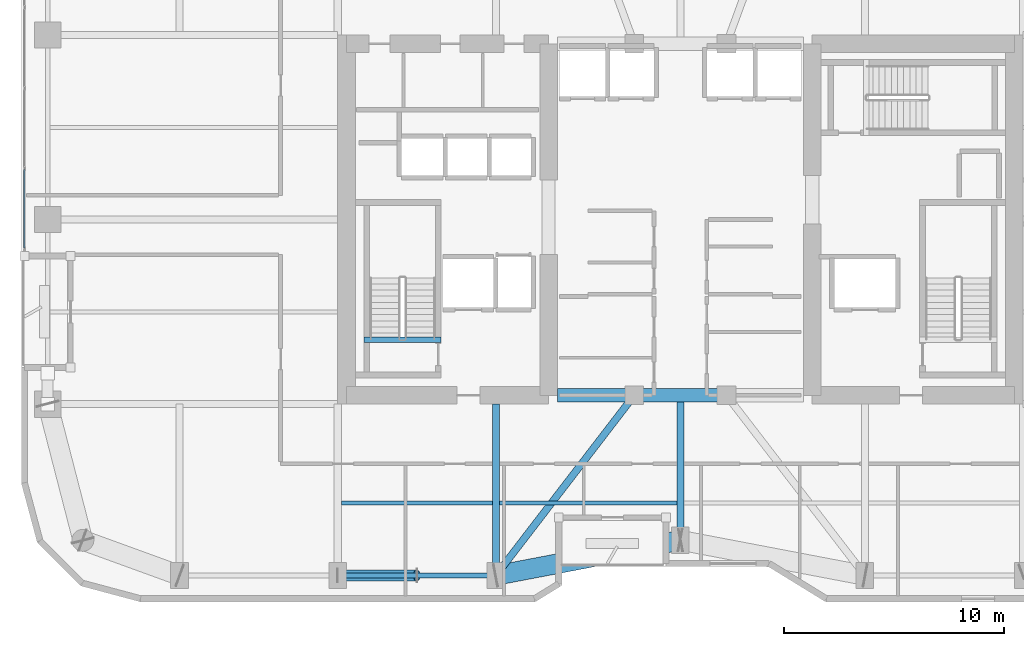
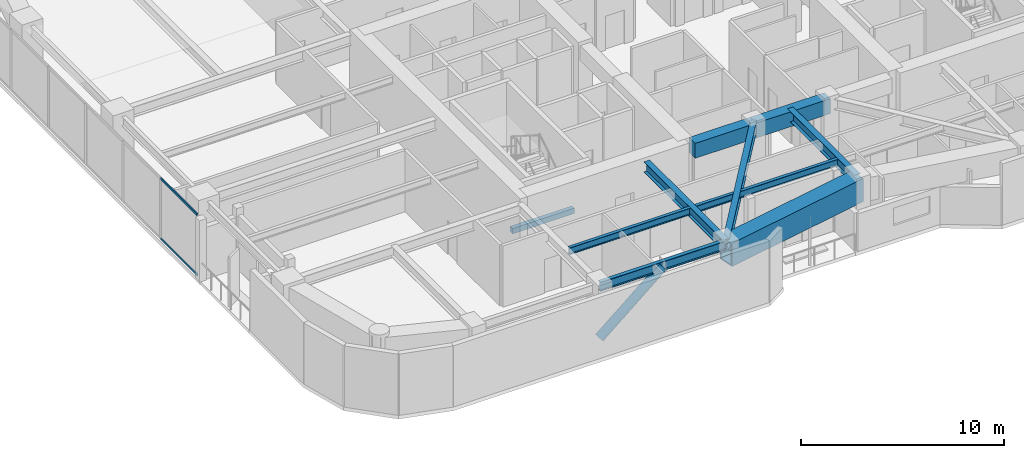
# One storey, part 3 of 30: 10 beams, 3 members, 1 element without a shape of its own.
"""IFC4 building model written with IfcOpenShell, lengths in metres."""

from ifc_helpers import new_model, si_unit, direction, frame, origin, origin_2d, place, context, subcontext, project, spatial, rectangle, hollow_rectangle, hollow_circle, i_section, extrude, material, layer, layer_set, material_profile, profile_set, type_object, element, aggregate, save


model = new_model("IFC4")

# Units and contexts
model_context = context("Model", 3, precision=1e-05, world=origin(), true_north=direction((0.0, 1.0)))
body_context = subcontext(model_context, "Body", "Model", "MODEL_VIEW")
ifc_project = project(units=[si_unit("LENGTHUNIT", "METRE"), si_unit("AREAUNIT", "SQUARE_METRE"), si_unit("VOLUMEUNIT", "CUBIC_METRE"), si_unit("PLANEANGLEUNIT", "RADIAN"), si_unit("MASSUNIT", "GRAM", prefix="KILO")], contexts=[model_context])

# Site, building, storey
site_placement = place(None, origin())
site = spatial("IfcSite", under=ifc_project, at=site_placement, CompositionType="ELEMENT")
building_placement = place(site_placement, origin())
building = spatial("IfcBuilding", under=site, at=building_placement, Name="Kiyonajd Concourse Tower", CompositionType="ELEMENT")
storey_placement = place(building_placement, frame((0.0, 0.0, 166.199951171875)))
storey = spatial("IfcBuildingStorey", under=building, at=storey_placement, Name="L42", CompositionType="ELEMENT", Elevation=166.199951171875)

# Beams
ifc_material_1 = material(Name="Concrete C60/75", Category="concrete")
ifc_material_profile_1 = material_profile(ifc_material_1, rectangle(XDim=0.60009765625, YDim=0.89990234375, at=origin_2d()), Name="RCBM-600x900")
ifc_profile_set_1 = profile_set([ifc_material_profile_1], Name="Concrete C60/75")
beam_type_1 = type_object("IfcBeamType", Name="BM-COUP-900", PredefinedType="LINTEL", material=ifc_profile_set_1)
beam_1_placement = place(storey_placement, frame((42.39990234375, 28.0, 3.22998046875), z_axis=(1.0, 0.0, 0.0), x_axis=(0.0, 1.0, 0.0)))
element("IfcBeam", 1, at=beam_1_placement, inside=storey, type_object=beam_type_1, Name="L42 Core Coupling Beam S1", PredefinedType="LINTEL", context=body_context, shape_type="SweptSolid", body=[
    extrude(rectangle(XDim=0.60009765625, YDim=0.89990234375, at=origin_2d()), origin(), (0.0, 0.0, 1.0), 3.5),
])
beam_2_placement = place(storey_placement, frame((45.89990234375, 28.0, 3.22998046875), z_axis=(1.0, 0.0, 0.0), x_axis=(0.0, 1.0, 0.0)))
element("IfcBeam", 2, at=beam_2_placement, inside=storey, type_object=beam_type_1, Name="L42 Core Coupling Beam S2", PredefinedType="LINTEL", context=body_context, shape_type="SweptSolid", body=[
    extrude(rectangle(XDim=0.60009765625, YDim=0.89990234375, at=origin_2d()), origin(), (0.0, 0.0, 1.0), 4.2001953125),
])
ifc_material_2 = material(Name="Steel ASTM A992 Grade 50", Category="steel")
ifc_material_profile_2 = material_profile(ifc_material_2, i_section(OverallWidth=0.180908203125, OverallDepth=0.4169921875, WebThickness=0.010986328125, FlangeThickness=0.018310546875, at=origin_2d()), Name="W410X85")
ifc_profile_set_2 = profile_set([ifc_material_profile_2], Name="Steel ASTM A992 Grade 50")
beam_type_2 = type_object("IfcBeamType", Name="BM-JST-410", PredefinedType="JOIST", material=ifc_profile_set_2)
beam_3_placement = place(storey_placement, frame((32.5634765625, 23.10009765625, 3.471435546875), z_axis=(1.0, 0.0, 0.0), x_axis=(0.0, 1.0, 0.0)))
element("IfcBeam", 3, at=beam_3_placement, inside=storey, type_object=beam_type_2, Name="L42 Secondary Floor Joist", PredefinedType="JOIST", context=body_context, shape_type="SweptSolid", body=[
    extrude(i_section(OverallWidth=0.180908203125, OverallDepth=0.4169921875, WebThickness=0.010986328125, FlangeThickness=0.018310546875, at=origin_2d()), origin(), (0.0, 0.0, 1.0), 6.873046875),
])
beam_4_placement = place(storey_placement, frame((39.763427734375, 23.10009765625, 3.471435546875), z_axis=(1.0, 0.0, 0.0), x_axis=(0.0, 1.0, 0.0)))
element("IfcBeam", 4, at=beam_4_placement, inside=storey, type_object=beam_type_2, Name="L42 Secondary Floor Joist", PredefinedType="JOIST", context=body_context, shape_type="SweptSolid", body=[
    extrude(i_section(OverallWidth=0.180908203125, OverallDepth=0.4169921875, WebThickness=0.010986328125, FlangeThickness=0.018310546875, at=origin_2d()), origin(), (0.0, 0.0, 1.0), 8.072998046875),
])
ifc_material_3 = material(Name="Concrete C50/60", Category="concrete")
ifc_material_profile_3 = material_profile(ifc_material_3, rectangle(XDim=0.239990234375, YDim=0.320068359375, at=origin_2d()), Name="RCBM-240x320")
ifc_profile_set_3 = profile_set([ifc_material_profile_3], Name="Concrete C50/60")
beam_type_3 = type_object("IfcBeamType", Name="BM-LNT-250", PredefinedType="LINTEL", material=ifc_profile_set_3)
beam_5_placement = place(storey_placement, frame((33.590087890625, 30.530029296875, -0.159912109375), z_axis=(1.0, 0.0, 0.0), x_axis=(0.0, 1.0, 0.0)))
element("IfcBeam", 5, at=beam_5_placement, inside=storey, type_object=beam_type_3, Name="L42 Stair ST1 Threshold Support Beam", PredefinedType="LINTEL", context=body_context, shape_type="SweptSolid", body=[
    extrude(rectangle(XDim=0.239990234375, YDim=0.320068359375, at=origin_2d()), origin(), (0.0, 0.0, 1.0), 3.52001953125),
])
ifc_material_profile_4 = material_profile(ifc_material_2, i_section(OverallWidth=0.214111328125, OverallDepth=0.549072265625, WebThickness=0.0146484375, FlangeThickness=0.023681640625, at=origin_2d()), Name="W530X138")
ifc_profile_set_4 = profile_set([ifc_material_profile_4], Name="Steel ASTM A992 Grade 50")
beam_type_4 = type_object("IfcBeamType", Name="BM-SPAN-530A", PredefinedType="SPANDREL", material=ifc_profile_set_4)
beam_6_placement = place(storey_placement, frame((32.39990234375, 19.800048828125, 3.405517578125), z_axis=(1.0, 0.0, 0.0), x_axis=(0.0, 1.0, 0.0)))
element("IfcBeam", 6, at=beam_6_placement, inside=storey, type_object=beam_type_4, Name="L42 Perimeter Bundled Tube Spandrel", PredefinedType="SPANDREL", context=body_context, shape_type="SweptSolid", body=[
    extrude(i_section(OverallWidth=0.214111328125, OverallDepth=0.549072265625, WebThickness=0.0146484375, FlangeThickness=0.023681640625, at=origin_2d()), origin(), (0.0, 0.0, 1.0), 7.2001953125),
])
ifc_material_profile_5 = material_profile(ifc_material_2, i_section(OverallWidth=0.326904296875, OverallDepth=0.6220703125, WebThickness=0.015380859375, FlangeThickness=0.0244140625, at=origin_2d()), Name="W610X195")
ifc_profile_set_5 = profile_set([ifc_material_profile_5], Name="Steel ASTM A992 Grade 50")
beam_type_5 = type_object("IfcBeamType", Name="BM-TWR-610A", PredefinedType="BEAM", material=ifc_profile_set_5)
beam_7_placement = place(storey_placement, frame((39.60009765625, 19.800048828125, 3.369140625), z_axis=(0.609233709922, 0.792990722956, 0.0), x_axis=(-0.792990722956, 0.609233709922, 0.0)))
element("IfcBeam", 7, at=beam_7_placement, inside=storey, type_object=beam_type_5, Name="L42 Core Tie Girder", PredefinedType="BEAM", context=body_context, shape_type="SweptSolid", body=[
    extrude(i_section(OverallWidth=0.326904296875, OverallDepth=0.6220703125, WebThickness=0.015380859375, FlangeThickness=0.0244140625, at=origin_2d()), origin(), (0.0, 0.0, 1.0), 10.340576171875),
])
beam_8_placement = place(storey_placement, frame((39.60009765625, 19.800048828125, 3.369140625), z_axis=(0.0, 1.0, 0.0), x_axis=(-1.0, 0.0, 0.0)))
element("IfcBeam", 8, at=beam_8_placement, inside=storey, type_object=beam_type_5, Name="L42 South Lease Girder", PredefinedType="BEAM", context=body_context, shape_type="SweptSolid", body=[
    extrude(i_section(OverallWidth=0.326904296875, OverallDepth=0.6220703125, WebThickness=0.015380859375, FlangeThickness=0.0244140625, at=origin_2d()), origin(), (0.0, 0.0, 1.0), 7.800048828125),
])
beam_9_placement = place(storey_placement, frame((48.0, 21.39990234375, 3.369140625), z_axis=(0.0, 1.0, 0.0), x_axis=(-1.0, 0.0, 0.0)))
element("IfcBeam", 9, at=beam_9_placement, inside=storey, type_object=beam_type_5, Name="L42 South Ribbon Girder", PredefinedType="BEAM", context=body_context, shape_type="SweptSolid", body=[
    extrude(i_section(OverallWidth=0.326904296875, OverallDepth=0.6220703125, WebThickness=0.015380859375, FlangeThickness=0.0244140625, at=origin_2d()), origin(), (0.0, 0.0, 1.0), 6.60009765625),
])
ifc_material_4 = material(Name="Steel ASTM A572 Grade 50", Category="steel")
ifc_material_profile_6 = material_profile(ifc_material_4, hollow_rectangle(XDim=0.89990234375, YDim=1.39990234375, WallThickness=0.070068359375, at=origin_2d()), Name="BOX-1400x900x70")
ifc_profile_set_6 = profile_set([ifc_material_profile_6], Name="Steel ASTM A572 Grade 50")
beam_type_6 = type_object("IfcBeamType", Name="BM-XFER-1400", PredefinedType="BEAM", material=ifc_profile_set_6)
beam_10_placement = place(storey_placement, frame((39.60009765625, 19.800048828125, 2.97998046875), z_axis=(0.982341315253, 0.187097675953, 0.0), x_axis=(-0.187097675953, 0.982341315253, 0.0)))
element("IfcBeam", 10, at=beam_10_placement, inside=storey, type_object=beam_type_6, Name="L42 Perimeter Bundled Tube Spandrel", PredefinedType="BEAM", context=body_context, shape_type="SweptSolid", body=[
    extrude(hollow_rectangle(XDim=0.89990234375, YDim=1.39990234375, WallThickness=0.070068359375, at=origin_2d()), origin(), (0.0, 0.0, 1.0), 8.55078125),
])

# Curtain wall, members
ifc_material_5 = material(Name="Thermally Broken Anodised Aluminium", Category="aluminium")
ifc_layer = layer(ifc_material_5, 0.179931640625)
ifc_layer_set = layer_set([ifc_layer], Name="Thermally Broken Anodised Aluminium")
curtain_wall_type = type_object("IfcCurtainWallType", Name="CW-SYS-03", PredefinedType="NOTDEFINED", material=ifc_layer_set)
curtain_wall_placement = place(storey_placement, origin())
curtain_wall = element("IfcCurtainWall", 11, at=curtain_wall_placement, inside=storey, type_object=curtain_wall_type, Name="L42 Unitised Curtain Wall CW3", PredefinedType="NOTDEFINED")
ifc_material_profile_7 = material_profile(ifc_material_5, hollow_rectangle(XDim=0.06494140625, YDim=0.139892578125, WallThickness=0.00390625, at=origin_2d()), Name="TRAN-65x140")
ifc_profile_set_7 = profile_set([ifc_material_profile_7], Name="Thermally Broken Anodised Aluminium")
member_type_1 = type_object("IfcMemberType", Name="MB-CW-TRAN1", PredefinedType="USERDEFINED", material=ifc_profile_set_7)
member_1_placement = place(storey_placement, frame((18.139892578125, 34.695068359375, 0.032470703125), z_axis=(0.0, 1.0, 0.0), x_axis=(-1.0, 0.0, 0.0)))
member_1 = element("IfcMember", 12, at=member_1_placement, type_object=member_type_1, Name="CW3 transom 1.1", ObjectType="TRANSOM", PredefinedType="USERDEFINED", context=body_context, shape_type="SweptSolid", body=[
    extrude(hollow_rectangle(XDim=0.06494140625, YDim=0.139892578125, WallThickness=0.00390625, at=origin_2d()), origin(), (0.0, 0.0, 1.0), 3.579345703125),
])
member_2_placement = place(storey_placement, frame((18.139892578125, 34.695068359375, 3.6474609375), z_axis=(0.0, 1.0, 0.0), x_axis=(-1.0, 0.0, 0.0)))
member_2 = element("IfcMember", 13, at=member_2_placement, type_object=member_type_1, Name="CW3 transom 1.2", ObjectType="TRANSOM", PredefinedType="USERDEFINED", context=body_context, shape_type="SweptSolid", body=[
    extrude(hollow_rectangle(XDim=0.06494140625, YDim=0.139892578125, WallThickness=0.00390625, at=origin_2d()), origin(), (0.0, 0.0, 1.0), 3.579345703125),
])
aggregate(curtain_wall, [member_1, member_2])

# Member
ifc_material_6 = material(Name="Steel ASTM A500 Grade C", Category="steel")
ifc_material_profile_8 = material_profile(ifc_material_6, hollow_circle(Radius=0.25390625, WallThickness=0.02197265625, at=origin_2d()), Name="CHS-508x22")
ifc_profile_set_8 = profile_set([ifc_material_profile_8], Name="Steel ASTM A500 Grade C")
member_type_2 = type_object("IfcMemberType", Name="MB-PB-MID", PredefinedType="BRACE", material=ifc_profile_set_8)
member_3_placement = place(storey_placement, frame((32.39990234375, 19.800048828125, 0.300048828125), z_axis=(0.765082043761, 0.0, 0.643932811957), x_axis=(0.0, 1.0, 0.0)))
element("IfcMember", 14, at=member_3_placement, inside=storey, type_object=member_type_2, Name="L42 Upper Zone Hollow Tube Brace PBS", PredefinedType="BRACE", context=body_context, shape_type="SweptSolid", body=[
    extrude(hollow_circle(Radius=0.25390625, WallThickness=0.02197265625, at=origin_2d()), origin(), (0.0, 0.0, 1.0), 4.70556640625),
])

save(model, "model.ifc")
